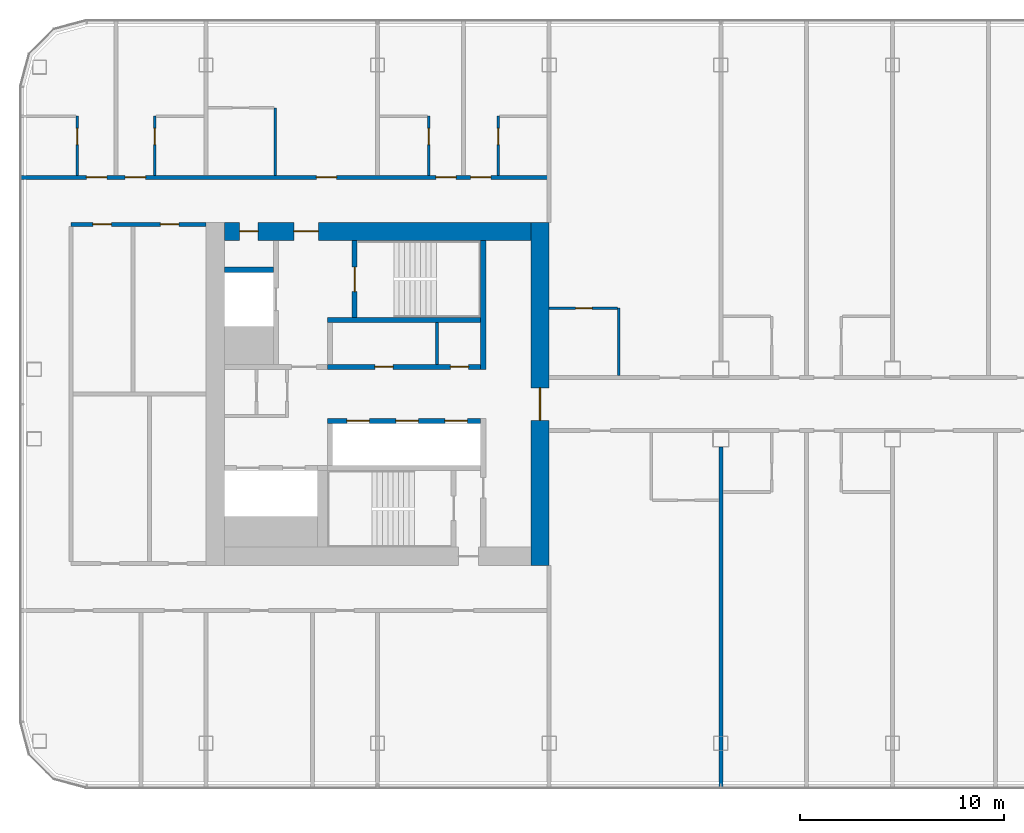
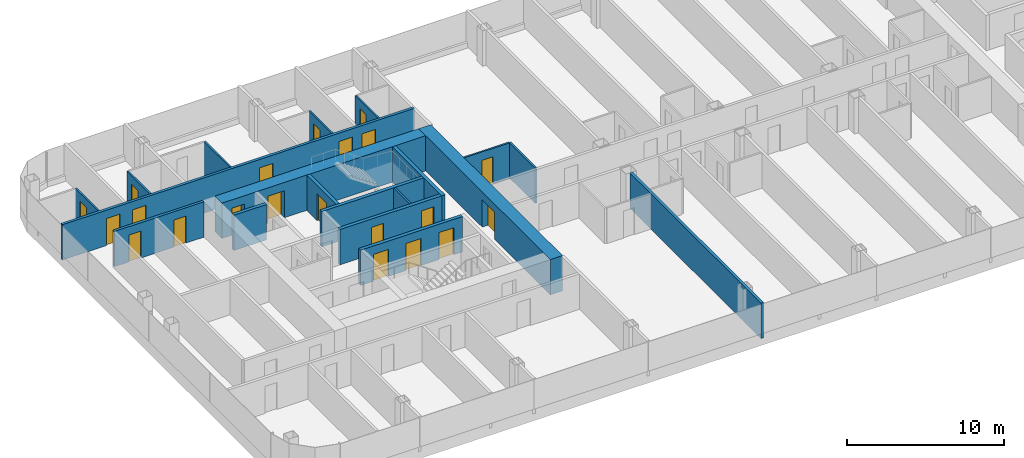
# One storey, part 13 of 26: 21 doors, 19 walls, 21 openings.
"""IFC4 building model written with IfcOpenShell, lengths in metres."""

from ifc_helpers import new_model, si_unit, direction, frame, frame_2d, origin, place, context, subcontext, project, spatial, rectangle, extrude, material, layer, layer_set, type_object, element, fill, save


model = new_model("IFC4")

# Units and contexts
model_context = context("Model", 3, precision=1e-05, world=origin(), true_north=direction((0.0, 1.0)))
body_context = subcontext(model_context, "Body", "Model", "MODEL_VIEW")
ifc_project = project(units=[si_unit("LENGTHUNIT", "METRE"), si_unit("AREAUNIT", "SQUARE_METRE"), si_unit("VOLUMEUNIT", "CUBIC_METRE"), si_unit("PLANEANGLEUNIT", "RADIAN"), si_unit("MASSUNIT", "GRAM", prefix="KILO")], contexts=[model_context])

# Site, building, storey
site_placement = place(None, origin())
site = spatial("IfcSite", under=ifc_project, at=site_placement, CompositionType="ELEMENT")
building_placement = place(site_placement, origin())
building = spatial("IfcBuilding", under=site, at=building_placement, Name="Hakoniwa Tower and Hamabe Station Hall", CompositionType="ELEMENT")
storey_placement = place(building_placement, frame((0.0, 0.0, 153.39990234375)))
storey = spatial("IfcBuildingStorey", under=building, at=storey_placement, Name="L43", CompositionType="ELEMENT", Elevation=153.39990234375)

# Wall, opening, door
ifc_material_1 = material(Name="Gypsum board partition", Category="gypsum")
ifc_layer_1 = layer(ifc_material_1, 0.125)
ifc_layer_set_1 = layer_set([ifc_layer_1], Name="Bathroom Partition 125")
wall_type_1 = type_object("IfcWallType", Name="Bathroom Partition 125", PredefinedType="PARTITIONING", material=ifc_layer_set_1)
wall_1_placement = place(storey_placement, frame((-16.81005859375, 4.199951171875, 0.0), z_axis=(0.0, 0.0, 1.0), x_axis=(1.0, 0.0, 0.0)))
wall_1 = element("IfcWall", 1, at=wall_1_placement, inside=storey, type_object=wall_type_1, Name="GW-L43-022", PredefinedType="PARTITIONING", context=body_context, shape_type="SweptSolid", body=[
    extrude(rectangle(XDim=3.34765625, YDim=0.125, at=frame_2d((1.673828125, 0.0))), origin(), (0.0, 0.0, 1.0), 2.75),
])
opening_1_placement = place(wall_1_placement, frame((1.31005859375, 0.0, 0.0)))
opening_1 = element("IfcOpeningElement", 2, at=opening_1_placement, cuts=wall_1, Name="Opening GD-G3C1-31", PredefinedType="OPENING", context=body_context, shape_type="SweptSolid", body=[
    extrude(rectangle(XDim=0.800048828125, YDim=2.10009765625, at=frame_2d((0.39990234375, 1.050048828125))), frame((0.0, 0.072509765625, 0.0), z_axis=(0.0, -1.0, 0.0), x_axis=(1.0, 0.0, 0.0)), (0.0, 0.0, 1.0), 0.14501953125),
])
ifc_material_2 = material(Name="Timber door leaf", Category="wood")
door_type_1 = type_object("IfcDoorType", Name="Bathroom Door 800", OperationType="SINGLE_SWING_LEFT", PredefinedType="DOOR", material=ifc_material_2)
door_1_placement = place(opening_1_placement, origin())
door_1 = element("IfcDoor", 3, at=door_1_placement, inside=storey, type_object=door_type_1, Name="Door GD-G3C1-31", OperationType="SINGLE_SWING_RIGHT", OverallHeight=2.10009765625, OverallWidth=0.800048828125, PredefinedType="DOOR", context=body_context, shape_type="SweptSolid", body=[
    extrude(rectangle(XDim=0.800048828125, YDim=2.10009765625, at=frame_2d((0.39990234375, 1.050048828125))), frame((0.0, 0.02490234375, 0.0), z_axis=(0.0, -1.0, 0.0), x_axis=(1.0, 0.0, 0.0)), (0.0, 0.0, 1.0), 0.050048828125),
])
fill(opening_1, door_1)

wall_2_placement = place(storey_placement, frame((-39.89990234375, 10.699951171875, 0.0), z_axis=(0.0, 0.0, 1.0), x_axis=(0.0, 1.0, 0.0)))
wall_2 = element("IfcWall", 4, at=wall_2_placement, inside=storey, type_object=wall_type_1, Name="GW-L43-037", PredefinedType="PARTITIONING", context=body_context, shape_type="SweptSolid", body=[
    extrude(rectangle(XDim=2.900146484375, YDim=0.125, at=frame_2d((1.4501953125, 0.0))), origin(), (0.0, 0.0, 1.0), 2.75),
])
opening_2_placement = place(wall_2_placement, frame((1.5, 0.0, 0.0)))
opening_2 = element("IfcOpeningElement", 5, at=opening_2_placement, cuts=wall_2, Name="Opening GD-G3C1-48", PredefinedType="OPENING", context=body_context, shape_type="SweptSolid", body=[
    extrude(rectangle(XDim=0.800048828125, YDim=2.10009765625, at=frame_2d((0.39990234375, 1.050048828125))), frame((0.0, 0.072509765625, 0.0), z_axis=(0.0, -1.0, 0.0), x_axis=(1.0, 0.0, 0.0)), (0.0, 0.0, 1.0), 0.14501953125),
])
door_2_placement = place(opening_2_placement, origin())
door_2 = element("IfcDoor", 6, at=door_2_placement, inside=storey, type_object=door_type_1, Name="Door GD-G3C1-48", OperationType="SINGLE_SWING_LEFT", OverallHeight=2.10009765625, OverallWidth=0.800048828125, PredefinedType="DOOR", context=body_context, shape_type="SweptSolid", body=[
    extrude(rectangle(XDim=0.800048828125, YDim=2.10009765625, at=frame_2d((0.39990234375, 1.050048828125))), frame((0.0, 0.02490234375, 0.0), z_axis=(0.0, -1.0, 0.0), x_axis=(1.0, 0.0, 0.0)), (0.0, 0.0, 1.0), 0.050048828125),
])
fill(opening_2, door_2)

wall_3_placement = place(storey_placement, frame((-36.10009765625, 10.699951171875, 0.0), z_axis=(0.0, 0.0, 1.0), x_axis=(0.0, 1.0, 0.0)))
wall_3 = element("IfcWall", 7, at=wall_3_placement, inside=storey, type_object=wall_type_1, Name="GW-L43-042", PredefinedType="PARTITIONING", context=body_context, shape_type="SweptSolid", body=[
    extrude(rectangle(XDim=2.900146484375, YDim=0.125, at=frame_2d((1.4501953125, 0.0))), origin(), (0.0, 0.0, 1.0), 2.75),
])
opening_3_placement = place(wall_3_placement, frame((1.5, 0.0, 0.0)))
opening_3 = element("IfcOpeningElement", 8, at=opening_3_placement, cuts=wall_3, Name="Opening GD-G3C1-49", PredefinedType="OPENING", context=body_context, shape_type="SweptSolid", body=[
    extrude(rectangle(XDim=0.800048828125, YDim=2.10009765625, at=frame_2d((0.39990234375, 1.050048828125))), frame((0.0, 0.072509765625, 0.0), z_axis=(0.0, -1.0, 0.0), x_axis=(1.0, 0.0, 0.0)), (0.0, 0.0, 1.0), 0.14501953125),
])
door_3_placement = place(opening_3_placement, origin())
door_3 = element("IfcDoor", 9, at=door_3_placement, inside=storey, type_object=door_type_1, Name="Door GD-G3C1-49", OperationType="SINGLE_SWING_RIGHT", OverallHeight=2.10009765625, OverallWidth=0.800048828125, PredefinedType="DOOR", context=body_context, shape_type="SweptSolid", body=[
    extrude(rectangle(XDim=0.800048828125, YDim=2.10009765625, at=frame_2d((0.39990234375, 1.050048828125))), frame((0.0, 0.02490234375, 0.0), z_axis=(0.0, -1.0, 0.0), x_axis=(1.0, 0.0, 0.0)), (0.0, 0.0, 1.0), 0.050048828125),
])
fill(opening_3, door_3)

# Wall
wall_4_placement = place(storey_placement, frame((-30.199951171875, 10.699951171875, 0.0), z_axis=(0.0, 0.0, 1.0), x_axis=(0.0, 1.0, 0.0)))
element("IfcWall", 10, at=wall_4_placement, inside=storey, type_object=wall_type_1, Name="GW-L43-045", PredefinedType="PARTITIONING", context=body_context, shape_type="SweptSolid", body=[
    extrude(rectangle(XDim=3.300048828125, YDim=0.125, at=frame_2d((1.64990234375, 0.0))), origin(), (0.0, 0.0, 1.0), 2.75),
])

# Wall, opening, door
wall_5_placement = place(storey_placement, frame((-22.699951171875, 10.699951171875, 0.0), z_axis=(0.0, 0.0, 1.0), x_axis=(0.0, 1.0, 0.0)))
wall_5 = element("IfcWall", 11, at=wall_5_placement, inside=storey, type_object=wall_type_1, Name="GW-L43-049", PredefinedType="PARTITIONING", context=body_context, shape_type="SweptSolid", body=[
    extrude(rectangle(XDim=2.900146484375, YDim=0.125, at=frame_2d((1.4501953125, 0.0))), origin(), (0.0, 0.0, 1.0), 2.75),
])
opening_4_placement = place(wall_5_placement, frame((1.5, 0.0, 0.0)))
opening_4 = element("IfcOpeningElement", 12, at=opening_4_placement, cuts=wall_5, Name="Opening GD-G3C1-50", PredefinedType="OPENING", context=body_context, shape_type="SweptSolid", body=[
    extrude(rectangle(XDim=0.800048828125, YDim=2.10009765625, at=frame_2d((0.39990234375, 1.050048828125))), frame((0.0, 0.072509765625, 0.0), z_axis=(0.0, -1.0, 0.0), x_axis=(1.0, 0.0, 0.0)), (0.0, 0.0, 1.0), 0.14501953125),
])
door_4_placement = place(opening_4_placement, origin())
door_4 = element("IfcDoor", 13, at=door_4_placement, inside=storey, type_object=door_type_1, Name="Door GD-G3C1-50", OperationType="SINGLE_SWING_LEFT", OverallHeight=2.10009765625, OverallWidth=0.800048828125, PredefinedType="DOOR", context=body_context, shape_type="SweptSolid", body=[
    extrude(rectangle(XDim=0.800048828125, YDim=2.10009765625, at=frame_2d((0.39990234375, 1.050048828125))), frame((0.0, 0.02490234375, 0.0), z_axis=(0.0, -1.0, 0.0), x_axis=(1.0, 0.0, 0.0)), (0.0, 0.0, 1.0), 0.050048828125),
])
fill(opening_4, door_4)

wall_6_placement = place(storey_placement, frame((-19.300048828125, 10.699951171875, 0.0), z_axis=(0.0, 0.0, 1.0), x_axis=(0.0, 1.0, 0.0)))
wall_6 = element("IfcWall", 14, at=wall_6_placement, inside=storey, type_object=wall_type_1, Name="GW-L43-051", PredefinedType="PARTITIONING", context=body_context, shape_type="SweptSolid", body=[
    extrude(rectangle(XDim=2.900146484375, YDim=0.125, at=frame_2d((1.4501953125, 0.0))), origin(), (0.0, 0.0, 1.0), 2.75),
])
opening_5_placement = place(wall_6_placement, frame((1.5, 0.0, 0.0)))
opening_5 = element("IfcOpeningElement", 15, at=opening_5_placement, cuts=wall_6, Name="Opening GD-G3C1-51", PredefinedType="OPENING", context=body_context, shape_type="SweptSolid", body=[
    extrude(rectangle(XDim=0.800048828125, YDim=2.10009765625, at=frame_2d((0.39990234375, 1.050048828125))), frame((0.0, 0.072509765625, 0.0), z_axis=(0.0, -1.0, 0.0), x_axis=(1.0, 0.0, 0.0)), (0.0, 0.0, 1.0), 0.14501953125),
])
door_5_placement = place(opening_5_placement, origin())
door_5 = element("IfcDoor", 16, at=door_5_placement, inside=storey, type_object=door_type_1, Name="Door GD-G3C1-51", OperationType="SINGLE_SWING_RIGHT", OverallHeight=2.10009765625, OverallWidth=0.800048828125, PredefinedType="DOOR", context=body_context, shape_type="SweptSolid", body=[
    extrude(rectangle(XDim=0.800048828125, YDim=2.10009765625, at=frame_2d((0.39990234375, 1.050048828125))), frame((0.0, 0.02490234375, 0.0), z_axis=(0.0, -1.0, 0.0), x_axis=(1.0, 0.0, 0.0)), (0.0, 0.0, 1.0), 0.050048828125),
])
fill(opening_5, door_5)

# Walls
wall_7_placement = place(storey_placement, frame((-13.39990234375, 0.89990234375, 0.0), z_axis=(0.0, 0.0, 1.0), x_axis=(0.0, 1.0, 0.0)))
element("IfcWall", 17, at=wall_7_placement, inside=storey, type_object=wall_type_1, Name="GW-L43-054", PredefinedType="PARTITIONING", context=body_context, shape_type="SweptSolid", body=[
    extrude(rectangle(XDim=3.300048828125, YDim=0.125, at=frame_2d((1.64990234375, 0.0))), origin(), (0.0, 0.0, 1.0), 2.75),
])
ifc_material_3 = material(Name="Gypsum board partition")
ifc_layer_2 = layer(ifc_material_3, 0.14990234375)
ifc_layer_set_2 = layer_set([ifc_layer_2], Name="CORE PARTITION 150 EI 60")
wall_type_2 = type_object("IfcWallType", Name="CORE PARTITION 150 EI 60", PredefinedType="PARTITIONING", material=ifc_layer_set_2)
wall_8_placement = place(storey_placement, frame((-22.300048828125, 1.449951171875, 0.0), z_axis=(0.0, 0.0, 1.0), x_axis=(0.0, 1.0, 0.0)))
element("IfcWall", 18, at=wall_8_placement, inside=storey, type_object=wall_type_2, Name="Core partition PFLR0 west", PredefinedType="PARTITIONING", context=body_context, shape_type="SweptSolid", body=[
    extrude(rectangle(XDim=2.050048828125, YDim=0.14990234375, at=frame_2d((1.02490234375, 0.0))), origin(), (0.0, 0.0, 1.0), 2.75),
])

# Wall, opening, door
ifc_material_4 = material(Name="Concrete C66", Category="concrete")
ifc_layer_3 = layer(ifc_material_4, 0.89990234375)
ifc_layer_set_3 = layer_set([ifc_layer_3], Name="CORE WALL 900 C66")
wall_type_3 = type_object("IfcWallType", Name="CORE WALL 900 C66", PredefinedType="SHEAR", material=ifc_layer_set_3)
wall_9_placement = place(storey_placement, frame((-17.25, -8.39990234375, 0.0), z_axis=(0.0, 0.0, 1.0), x_axis=(0.0, 1.0, 0.0)))
wall_9 = element("IfcWall", 19, at=wall_9_placement, inside=storey, type_object=wall_type_3, Name="Core wall INNER west", PredefinedType="SHEAR", context=body_context, shape_type="SweptSolid", body=[
    extrude(rectangle(XDim=16.7998046875, YDim=0.89990234375, at=frame_2d((8.39990234375, 0.0))), origin(), (0.0, 0.0, 1.0), 2.75),
])
opening_6_placement = place(wall_9_placement, frame((7.10009765625, 0.0, 0.0)))
opening_6 = element("IfcOpeningElement", 20, at=opening_6_placement, cuts=wall_9, Name="Opening CD-W-IN1-16", PredefinedType="OPENING", context=body_context, shape_type="SweptSolid", body=[
    extrude(rectangle(XDim=1.60009765625, YDim=2.10009765625, at=frame_2d((0.800048828125, 1.050048828125))), frame((0.0, 0.4599609375, 0.0), z_axis=(0.0, -1.0, 0.0), x_axis=(1.0, 0.0, 0.0)), (0.0, 0.0, 1.0), 0.919921875),
])
ifc_material_5 = material(Name="Steel fire door", Category="steel")
door_type_2 = type_object("IfcDoorType", Name="CORE DOOR 1600 FD60", OperationType="DOUBLE_DOOR_SINGLE_SWING", PredefinedType="DOOR", material=ifc_material_5)
door_6_placement = place(opening_6_placement, origin())
door_6 = element("IfcDoor", 21, at=door_6_placement, inside=storey, type_object=door_type_2, Name="Lift lobby door", OperationType="DOUBLE_DOOR_SINGLE_SWING", OverallHeight=2.10009765625, OverallWidth=1.60009765625, PredefinedType="DOOR", context=body_context, shape_type="SweptSolid", body=[
    extrude(rectangle(XDim=1.60009765625, YDim=2.10009765625, at=frame_2d((0.800048828125, 1.050048828125))), frame((0.0, 0.02490234375, 0.0), z_axis=(0.0, -1.0, 0.0), x_axis=(1.0, 0.0, 0.0)), (0.0, 0.0, 1.0), 0.050048828125),
])
fill(opening_6, door_6)

# Wall, openings, doors
wall_10_placement = place(storey_placement, frame((-32.699951171875, 7.949951171875, 0.0), z_axis=(0.0, 0.0, 1.0), x_axis=(1.0, 0.0, 0.0)))
wall_10 = element("IfcWall", 22, at=wall_10_placement, inside=storey, type_object=wall_type_3, Name="Core wall NORTH west", PredefinedType="SHEAR", context=body_context, shape_type="SweptSolid", body=[
    extrude(rectangle(XDim=15.0, YDim=0.89990234375, at=frame_2d((7.5, 0.0))), origin(), (0.0, 0.0, 1.0), 2.75),
])
opening_7_placement = place(wall_10_placement, frame((3.39990234375, 0.0, 0.0)))
opening_7 = element("IfcOpeningElement", 23, at=opening_7_placement, cuts=wall_10, Name="Opening CD-W-FN1-12", PredefinedType="OPENING", context=body_context, shape_type="SweptSolid", body=[
    extrude(rectangle(XDim=1.199951171875, YDim=2.10009765625, at=frame_2d((0.60009765625, 1.050048828125))), frame((0.0, 0.4599609375, 0.0), z_axis=(0.0, -1.0, 0.0), x_axis=(1.0, 0.0, 0.0)), (0.0, 0.0, 1.0), 0.919921875),
])
opening_8_placement = place(wall_10_placement, frame((0.75, 0.0, 0.0)))
opening_8 = element("IfcOpeningElement", 24, at=opening_8_placement, cuts=wall_10, Name="Opening CD-W-FN2-9", PredefinedType="OPENING", context=body_context, shape_type="SweptSolid", body=[
    extrude(rectangle(XDim=0.89990234375, YDim=2.10009765625, at=frame_2d((0.449951171875, 1.050048828125))), frame((0.0, 0.4599609375, 0.0), z_axis=(0.0, -1.0, 0.0), x_axis=(1.0, 0.0, 0.0)), (0.0, 0.0, 1.0), 0.919921875),
])
ifc_material_6 = material(Name="Steel fire door", Category="steel")
door_type_3 = type_object("IfcDoorType", Name="CORE DOOR 1200 FD60", OperationType="DOUBLE_DOOR_SINGLE_SWING", PredefinedType="DOOR", material=ifc_material_6)
door_7_placement = place(opening_7_placement, origin())
door_7 = element("IfcDoor", 25, at=door_7_placement, inside=storey, type_object=door_type_3, Name="Stair vestibule door to the fire-fighting lobby", OperationType="DOUBLE_DOOR_SINGLE_SWING", OverallHeight=2.10009765625, OverallWidth=1.199951171875, PredefinedType="DOOR", context=body_context, shape_type="SweptSolid", body=[
    extrude(rectangle(XDim=1.199951171875, YDim=2.10009765625, at=frame_2d((0.60009765625, 1.050048828125))), frame((0.0, 0.02490234375, 0.0), z_axis=(0.0, -1.0, 0.0), x_axis=(1.0, 0.0, 0.0)), (0.0, 0.0, 1.0), 0.050048828125),
])
fill(opening_7, door_7)
ifc_material_7 = material(Name="Steel fire door", Category="steel")
door_type_4 = type_object("IfcDoorType", Name="CORE DOOR 900 FD30", OperationType="NOTDEFINED", PredefinedType="DOOR", material=ifc_material_7)
door_8_placement = place(opening_8_placement, origin())
door_8 = element("IfcDoor", 26, at=door_8_placement, inside=storey, type_object=door_type_4, Name="Riser access door", OperationType="SINGLE_SWING_LEFT", OverallHeight=2.10009765625, OverallWidth=0.89990234375, PredefinedType="DOOR", context=body_context, shape_type="SweptSolid", body=[
    extrude(rectangle(XDim=0.89990234375, YDim=2.10009765625, at=frame_2d((0.449951171875, 1.050048828125))), frame((0.0, 0.02490234375, 0.0), z_axis=(0.0, -1.0, 0.0), x_axis=(1.0, 0.0, 0.0)), (0.0, 0.0, 1.0), 0.050048828125),
])
fill(opening_8, door_8)

# Wall
ifc_material_8 = material(Name="Concrete C66", Category="concrete")
ifc_layer_4 = layer(ifc_material_8, 0.25)
ifc_layer_set_4 = layer_set([ifc_layer_4], Name="CORE WEB WALL 250 C66")
wall_type_4 = type_object("IfcWallType", Name="CORE WEB WALL 250 C66", PredefinedType="SHEAR", material=ifc_layer_set_4)
wall_11_placement = place(storey_placement, frame((-20.02490234375, 1.199951171875, 0.0), z_axis=(0.0, 0.0, 1.0), x_axis=(0.0, 1.0, 0.0)))
element("IfcWall", 27, at=wall_11_placement, inside=storey, type_object=wall_type_4, Name="Core wall W1N west", PredefinedType="SHEAR", context=body_context, shape_type="SweptSolid", body=[
    extrude(rectangle(XDim=6.300048828125, YDim=0.25, at=frame_2d((3.14990234375, 0.0))), origin(), (0.0, 0.0, 1.0), 2.75),
])

# Wall, openings, doors
wall_12_placement = place(storey_placement, frame((-27.64990234375, 1.324951171875, 0.0), z_axis=(0.0, 0.0, 1.0), x_axis=(1.0, 0.0, 0.0)))
wall_12 = element("IfcWall", 28, at=wall_12_placement, inside=storey, type_object=wall_type_4, Name="Core wall NF west", PredefinedType="SHEAR", context=body_context, shape_type="SweptSolid", body=[
    extrude(rectangle(XDim=7.5, YDim=0.25, at=frame_2d((3.75, 0.0))), origin(), (0.0, 0.0, 1.0), 2.75),
])
opening_9_placement = place(wall_12_placement, frame((6.012451171875, 0.0, 0.0)))
opening_9 = element("IfcOpeningElement", 29, at=opening_9_placement, cuts=wall_12, Name="Opening CD-W-FRLR0-9", PredefinedType="OPENING", context=body_context, shape_type="SweptSolid", body=[
    extrude(rectangle(XDim=0.89990234375, YDim=2.10009765625, at=frame_2d((0.449951171875, 1.050048828125))), frame((0.0, 0.135009765625, 0.0), z_axis=(0.0, -1.0, 0.0), x_axis=(1.0, 0.0, 0.0)), (0.0, 0.0, 1.0), 0.27001953125),
])
opening_10_placement = place(wall_12_placement, frame((2.3125, 0.0, 0.0)))
opening_10 = element("IfcOpeningElement", 30, at=opening_10_placement, cuts=wall_12, Name="Opening CD-W-FRLR1-9", PredefinedType="OPENING", context=body_context, shape_type="SweptSolid", body=[
    extrude(rectangle(XDim=0.89990234375, YDim=2.10009765625, at=frame_2d((0.449951171875, 1.050048828125))), frame((0.0, 0.135009765625, 0.0), z_axis=(0.0, -1.0, 0.0), x_axis=(1.0, 0.0, 0.0)), (0.0, 0.0, 1.0), 0.27001953125),
])
door_9_placement = place(opening_9_placement, origin())
door_9 = element("IfcDoor", 31, at=door_9_placement, inside=storey, type_object=door_type_4, Name="Store room door", OperationType="SINGLE_SWING_RIGHT", OverallHeight=2.10009765625, OverallWidth=0.89990234375, PredefinedType="DOOR", context=body_context, shape_type="SweptSolid", body=[
    extrude(rectangle(XDim=0.89990234375, YDim=2.10009765625, at=frame_2d((0.449951171875, 1.050048828125))), frame((0.0, 0.02490234375, 0.0), z_axis=(0.0, -1.0, 0.0), x_axis=(1.0, 0.0, 0.0)), (0.0, 0.0, 1.0), 0.050048828125),
])
fill(opening_9, door_9)
door_10_placement = place(opening_10_placement, origin())
door_10 = element("IfcDoor", 32, at=door_10_placement, inside=storey, type_object=door_type_4, Name="Store room door", OperationType="SINGLE_SWING_RIGHT", OverallHeight=2.10009765625, OverallWidth=0.89990234375, PredefinedType="DOOR", context=body_context, shape_type="SweptSolid", body=[
    extrude(rectangle(XDim=0.89990234375, YDim=2.10009765625, at=frame_2d((0.449951171875, 1.050048828125))), frame((0.0, 0.02490234375, 0.0), z_axis=(0.0, -1.0, 0.0), x_axis=(1.0, 0.0, 0.0)), (0.0, 0.0, 1.0), 0.050048828125),
])
fill(opening_10, door_10)

# Wall
wall_13_placement = place(storey_placement, frame((-27.64990234375, 3.625, 0.0), z_axis=(0.0, 0.0, 1.0), x_axis=(1.0, 0.0, 0.0)))
element("IfcWall", 33, at=wall_13_placement, inside=storey, type_object=wall_type_4, Name="Core wall NR west", PredefinedType="SHEAR", context=body_context, shape_type="SweptSolid", body=[
    extrude(rectangle(XDim=7.5, YDim=0.25, at=frame_2d((3.75, 0.0))), origin(), (0.0, 0.0, 1.0), 2.75),
])

# Wall, opening, door
wall_14_placement = place(storey_placement, frame((-26.324951171875, 3.75, 0.0), z_axis=(0.0, 0.0, 1.0), x_axis=(0.0, 1.0, 0.0)))
wall_14 = element("IfcWall", 34, at=wall_14_placement, inside=storey, type_object=wall_type_4, Name="Core wall NSE west", PredefinedType="SHEAR", context=body_context, shape_type="SweptSolid", body=[
    extrude(rectangle(XDim=3.75, YDim=0.25, at=frame_2d((1.875, 0.0))), origin(), (0.0, 0.0, 1.0), 2.75),
])
opening_11_placement = place(wall_14_placement, frame((1.25, 0.0, 0.0)))
opening_11 = element("IfcOpeningElement", 35, at=opening_11_placement, cuts=wall_14, Name="Opening CD-W-SN-12", PredefinedType="OPENING", context=body_context, shape_type="SweptSolid", body=[
    extrude(rectangle(XDim=1.199951171875, YDim=2.10009765625, at=frame_2d((0.60009765625, 1.050048828125))), frame((0.0, 0.135009765625, 0.0), z_axis=(0.0, -1.0, 0.0), x_axis=(1.0, 0.0, 0.0)), (0.0, 0.0, 1.0), 0.27001953125),
])
door_11_placement = place(opening_11_placement, origin())
door_11 = element("IfcDoor", 36, at=door_11_placement, inside=storey, type_object=door_type_3, Name="Escape stair door", OperationType="DOUBLE_DOOR_SINGLE_SWING", OverallHeight=2.10009765625, OverallWidth=1.199951171875, PredefinedType="DOOR", context=body_context, shape_type="SweptSolid", body=[
    extrude(rectangle(XDim=1.199951171875, YDim=2.10009765625, at=frame_2d((0.60009765625, 1.050048828125))), frame((0.0, 0.02490234375, 0.0), z_axis=(0.0, -1.0, 0.0), x_axis=(1.0, 0.0, 0.0)), (0.0, 0.0, 1.0), 0.050048828125),
])
fill(opening_11, door_11)

# Wall
wall_15_placement = place(storey_placement, frame((-32.699951171875, 6.074951171875, 0.0), z_axis=(0.0, 0.0, 1.0), x_axis=(1.0, 0.0, 0.0)))
element("IfcWall", 37, at=wall_15_placement, inside=storey, type_object=wall_type_4, Name="Core wall C2 west", PredefinedType="SHEAR", context=body_context, shape_type="SweptSolid", body=[
    extrude(rectangle(XDim=2.39990234375, YDim=0.25, at=frame_2d((1.199951171875, 0.0))), origin(), (0.0, 0.0, 1.0), 2.75),
])

# Wall, openings, doors
wall_16_placement = place(storey_placement, frame((-27.64990234375, -1.324951171875, 0.0), z_axis=(0.0, 0.0, 1.0), x_axis=(1.0, 0.0, 0.0)))
wall_16 = element("IfcWall", 38, at=wall_16_placement, inside=storey, type_object=wall_type_4, Name="Core wall SF west", PredefinedType="SHEAR", context=body_context, shape_type="SweptSolid", body=[
    extrude(rectangle(XDim=7.5, YDim=0.25, at=frame_2d((3.75, 0.0))), origin(), (0.0, 0.0, 1.0), 2.75),
])
opening_12_placement = place(wall_16_placement, frame((5.75, 0.0, 0.0)))
opening_12 = element("IfcOpeningElement", 39, at=opening_12_placement, cuts=wall_16, Name="Opening LD-HR1", PredefinedType="OPENING", context=body_context, shape_type="SweptSolid", body=[
    extrude(rectangle(XDim=1.10009765625, YDim=2.10009765625, at=frame_2d((0.550048828125, 1.050048828125))), frame((0.0, 0.135009765625, 0.0), z_axis=(0.0, -1.0, 0.0), x_axis=(1.0, 0.0, 0.0)), (0.0, 0.0, 1.0), 0.27001953125),
])
opening_13_placement = place(wall_16_placement, frame((3.35009765625, 0.0, 0.0)))
opening_13 = element("IfcOpeningElement", 40, at=opening_13_placement, cuts=wall_16, Name="Opening LD-HR2", PredefinedType="OPENING", context=body_context, shape_type="SweptSolid", body=[
    extrude(rectangle(XDim=1.10009765625, YDim=2.10009765625, at=frame_2d((0.550048828125, 1.050048828125))), frame((0.0, 0.135009765625, 0.0), z_axis=(0.0, -1.0, 0.0), x_axis=(1.0, 0.0, 0.0)), (0.0, 0.0, 1.0), 0.27001953125),
])
opening_14_placement = place(wall_16_placement, frame((0.949951171875, 0.0, 0.0)))
opening_14 = element("IfcOpeningElement", 41, at=opening_14_placement, cuts=wall_16, Name="Opening LD-HR3", PredefinedType="OPENING", context=body_context, shape_type="SweptSolid", body=[
    extrude(rectangle(XDim=1.10009765625, YDim=2.10009765625, at=frame_2d((0.550048828125, 1.050048828125))), frame((0.0, 0.135009765625, 0.0), z_axis=(0.0, -1.0, 0.0), x_axis=(1.0, 0.0, 0.0)), (0.0, 0.0, 1.0), 0.27001953125),
])
ifc_material_9 = material(Name="Stainless steel SUS304", Category="steel")
door_type_5 = type_object("IfcDoorType", Name="LIFT LANDING DOOR 1100 FD60", OperationType="DOUBLE_DOOR_SLIDING", PredefinedType="DOOR", material=ifc_material_9)
door_12_placement = place(opening_12_placement, origin())
door_12 = element("IfcDoor", 42, at=door_12_placement, inside=storey, type_object=door_type_5, Name="Lift landing door HR1 L43", OperationType="DOUBLE_DOOR_SLIDING", OverallHeight=2.10009765625, OverallWidth=1.10009765625, PredefinedType="DOOR", context=body_context, shape_type="SweptSolid", body=[
    extrude(rectangle(XDim=1.10009765625, YDim=2.10009765625, at=frame_2d((0.550048828125, 1.050048828125))), frame((0.0, 0.02490234375, 0.0), z_axis=(0.0, -1.0, 0.0), x_axis=(1.0, 0.0, 0.0)), (0.0, 0.0, 1.0), 0.050048828125),
])
fill(opening_12, door_12)
door_13_placement = place(opening_13_placement, origin())
door_13 = element("IfcDoor", 43, at=door_13_placement, inside=storey, type_object=door_type_5, Name="Lift landing door HR2 L43", OperationType="DOUBLE_DOOR_SLIDING", OverallHeight=2.10009765625, OverallWidth=1.10009765625, PredefinedType="DOOR", context=body_context, shape_type="SweptSolid", body=[
    extrude(rectangle(XDim=1.10009765625, YDim=2.10009765625, at=frame_2d((0.550048828125, 1.050048828125))), frame((0.0, 0.02490234375, 0.0), z_axis=(0.0, -1.0, 0.0), x_axis=(1.0, 0.0, 0.0)), (0.0, 0.0, 1.0), 0.050048828125),
])
fill(opening_13, door_13)
door_14_placement = place(opening_14_placement, origin())
door_14 = element("IfcDoor", 44, at=door_14_placement, inside=storey, type_object=door_type_5, Name="Lift landing door HR3 L43", OperationType="DOUBLE_DOOR_SLIDING", OverallHeight=2.10009765625, OverallWidth=1.10009765625, PredefinedType="DOOR", context=body_context, shape_type="SweptSolid", body=[
    extrude(rectangle(XDim=1.10009765625, YDim=2.10009765625, at=frame_2d((0.550048828125, 1.050048828125))), frame((0.0, 0.02490234375, 0.0), z_axis=(0.0, -1.0, 0.0), x_axis=(1.0, 0.0, 0.0)), (0.0, 0.0, 1.0), 0.050048828125),
])
fill(opening_14, door_14)

ifc_material_10 = material(Name="Fire-rated gypsum board partition", Category="gypsum")
ifc_layer_5 = layer(ifc_material_10, 0.199951171875)
ifc_layer_set_5 = layer_set([ifc_layer_5], Name="Corridor Wall 200")
wall_type_5 = type_object("IfcWallType", Name="Corridor Wall 200", PredefinedType="PARTITIONING", material=ifc_layer_set_5)
wall_17_placement = place(storey_placement, frame((-40.199951171875, 8.300048828125, 0.0), z_axis=(0.0, 0.0, 1.0), x_axis=(1.0, 0.0, 0.0)))
wall_17 = element("IfcWall", 45, at=wall_17_placement, inside=storey, type_object=wall_type_5, Name="GW-L43-023", PredefinedType="PARTITIONING", context=body_context, shape_type="SweptSolid", body=[
    extrude(rectangle(XDim=6.599853515625, YDim=0.199951171875, at=frame_2d((3.2998046875, 0.0))), origin(), (0.0, 0.0, 1.0), 2.75),
])
opening_15_placement = place(wall_17_placement, frame((1.070068359375, 0.0, 0.0)))
opening_15 = element("IfcOpeningElement", 46, at=opening_15_placement, cuts=wall_17, Name="Opening GD-G3C1-32", PredefinedType="OPENING", context=body_context, shape_type="SweptSolid", body=[
    extrude(rectangle(XDim=0.89990234375, YDim=2.10009765625, at=frame_2d((0.449951171875, 1.050048828125))), frame((0.0, 0.10986328125, 0.0), z_axis=(0.0, -1.0, 0.0), x_axis=(1.0, 0.0, 0.0)), (0.0, 0.0, 1.0), 0.219970703125),
])
opening_16_placement = place(wall_17_placement, frame((4.3701171875, 0.0, 0.0)))
opening_16 = element("IfcOpeningElement", 47, at=opening_16_placement, cuts=wall_17, Name="Opening GD-G3C1-33", PredefinedType="OPENING", context=body_context, shape_type="SweptSolid", body=[
    extrude(rectangle(XDim=0.89990234375, YDim=2.10009765625, at=frame_2d((0.449951171875, 1.050048828125))), frame((0.0, 0.10986328125, 0.0), z_axis=(0.0, -1.0, 0.0), x_axis=(1.0, 0.0, 0.0)), (0.0, 0.0, 1.0), 0.219970703125),
])
ifc_material_11 = material(Name="Timber door leaf", Category="wood")
door_type_6 = type_object("IfcDoorType", Name="Service Door 900", OperationType="SINGLE_SWING_LEFT", PredefinedType="DOOR", material=ifc_material_11)
door_15_placement = place(opening_15_placement, origin())
door_15 = element("IfcDoor", 48, at=door_15_placement, inside=storey, type_object=door_type_6, Name="Door GD-G3C1-32", OperationType="SINGLE_SWING_LEFT", OverallHeight=2.10009765625, OverallWidth=0.89990234375, PredefinedType="DOOR", context=body_context, shape_type="SweptSolid", body=[
    extrude(rectangle(XDim=0.89990234375, YDim=2.10009765625, at=frame_2d((0.449951171875, 1.050048828125))), frame((0.0, 0.02490234375, 0.0), z_axis=(0.0, -1.0, 0.0), x_axis=(1.0, 0.0, 0.0)), (0.0, 0.0, 1.0), 0.050048828125),
])
fill(opening_15, door_15)
door_16_placement = place(opening_16_placement, origin())
door_16 = element("IfcDoor", 49, at=door_16_placement, inside=storey, type_object=door_type_6, Name="Door GD-G3C1-33", OperationType="SINGLE_SWING_LEFT", OverallHeight=2.10009765625, OverallWidth=0.89990234375, PredefinedType="DOOR", context=body_context, shape_type="SweptSolid", body=[
    extrude(rectangle(XDim=0.89990234375, YDim=2.10009765625, at=frame_2d((0.449951171875, 1.050048828125))), frame((0.0, 0.02490234375, 0.0), z_axis=(0.0, -1.0, 0.0), x_axis=(1.0, 0.0, 0.0)), (0.0, 0.0, 1.0), 0.050048828125),
])
fill(opening_16, door_16)

wall_18_placement = place(storey_placement, frame((-42.699951171875, 10.60009765625, 0.0), z_axis=(0.0, 0.0, 1.0), x_axis=(1.0, 0.0, 0.0)))
wall_18 = element("IfcWall", 50, at=wall_18_placement, inside=storey, type_object=wall_type_5, Name="GW-L43-025", PredefinedType="PARTITIONING", context=body_context, shape_type="SweptSolid", body=[
    extrude(rectangle(XDim=25.89990234375, YDim=0.199951171875, at=frame_2d((12.949951171875, 0.0))), origin(), (0.0, 0.0, 1.0), 2.75),
])
opening_17_placement = place(wall_18_placement, frame((3.25, 0.0, 0.0)))
opening_17 = element("IfcOpeningElement", 51, at=opening_17_placement, cuts=wall_18, Name="Opening GD-G3C1-36", PredefinedType="OPENING", context=body_context, shape_type="SweptSolid", body=[
    extrude(rectangle(XDim=1.0, YDim=2.10009765625, at=frame_2d((0.5, 1.050048828125))), frame((0.0, 0.10986328125, 0.0), z_axis=(0.0, -1.0, 0.0), x_axis=(1.0, 0.0, 0.0)), (0.0, 0.0, 1.0), 0.219970703125),
])
opening_18_placement = place(wall_18_placement, frame((5.14990234375, 0.0, 0.0)))
opening_18 = element("IfcOpeningElement", 52, at=opening_18_placement, cuts=wall_18, Name="Opening GD-G3C1-37", PredefinedType="OPENING", context=body_context, shape_type="SweptSolid", body=[
    extrude(rectangle(XDim=1.0, YDim=2.10009765625, at=frame_2d((0.5, 1.050048828125))), frame((0.0, 0.10986328125, 0.0), z_axis=(0.0, -1.0, 0.0), x_axis=(1.0, 0.0, 0.0)), (0.0, 0.0, 1.0), 0.219970703125),
])
opening_19_placement = place(wall_18_placement, frame((14.5, 0.0, 0.0)))
opening_19 = element("IfcOpeningElement", 53, at=opening_19_placement, cuts=wall_18, Name="Opening GD-G3C1-38", PredefinedType="OPENING", context=body_context, shape_type="SweptSolid", body=[
    extrude(rectangle(XDim=1.0, YDim=2.10009765625, at=frame_2d((0.5, 1.050048828125))), frame((0.0, 0.10986328125, 0.0), z_axis=(0.0, -1.0, 0.0), x_axis=(1.0, 0.0, 0.0)), (0.0, 0.0, 1.0), 0.219970703125),
])
opening_20_placement = place(wall_18_placement, frame((20.35009765625, 0.0, 0.0)))
opening_20 = element("IfcOpeningElement", 54, at=opening_20_placement, cuts=wall_18, Name="Opening GD-G3C1-39", PredefinedType="OPENING", context=body_context, shape_type="SweptSolid", body=[
    extrude(rectangle(XDim=1.0, YDim=2.10009765625, at=frame_2d((0.5, 1.050048828125))), frame((0.0, 0.10986328125, 0.0), z_axis=(0.0, -1.0, 0.0), x_axis=(1.0, 0.0, 0.0)), (0.0, 0.0, 1.0), 0.219970703125),
])
opening_21_placement = place(wall_18_placement, frame((22.050048828125, 0.0, 0.0)))
opening_21 = element("IfcOpeningElement", 55, at=opening_21_placement, cuts=wall_18, Name="Opening GD-G3C1-40", PredefinedType="OPENING", context=body_context, shape_type="SweptSolid", body=[
    extrude(rectangle(XDim=1.0, YDim=2.10009765625, at=frame_2d((0.5, 1.050048828125))), frame((0.0, 0.10986328125, 0.0), z_axis=(0.0, -1.0, 0.0), x_axis=(1.0, 0.0, 0.0)), (0.0, 0.0, 1.0), 0.219970703125),
])
ifc_material_12 = material(Name="Timber door leaf", Category="wood")
door_type_7 = type_object("IfcDoorType", Name="Guest Entrance Door 1000", OperationType="SINGLE_SWING_LEFT", PredefinedType="DOOR", material=ifc_material_12)
door_17_placement = place(opening_17_placement, origin())
door_17 = element("IfcDoor", 56, at=door_17_placement, inside=storey, type_object=door_type_7, Name="Door GD-G3C1-36", OperationType="SINGLE_SWING_RIGHT", OverallHeight=2.10009765625, OverallWidth=1.0, PredefinedType="DOOR", context=body_context, shape_type="SweptSolid", body=[
    extrude(rectangle(XDim=1.0, YDim=2.10009765625, at=frame_2d((0.5, 1.050048828125))), frame((0.0, 0.02490234375, 0.0), z_axis=(0.0, -1.0, 0.0), x_axis=(1.0, 0.0, 0.0)), (0.0, 0.0, 1.0), 0.050048828125),
])
fill(opening_17, door_17)
door_18_placement = place(opening_18_placement, origin())
door_18 = element("IfcDoor", 57, at=door_18_placement, inside=storey, type_object=door_type_7, Name="Door GD-G3C1-37", OperationType="SINGLE_SWING_LEFT", OverallHeight=2.10009765625, OverallWidth=1.0, PredefinedType="DOOR", context=body_context, shape_type="SweptSolid", body=[
    extrude(rectangle(XDim=1.0, YDim=2.10009765625, at=frame_2d((0.5, 1.050048828125))), frame((0.0, 0.02490234375, 0.0), z_axis=(0.0, -1.0, 0.0), x_axis=(1.0, 0.0, 0.0)), (0.0, 0.0, 1.0), 0.050048828125),
])
fill(opening_18, door_18)
door_19_placement = place(opening_19_placement, origin())
door_19 = element("IfcDoor", 58, at=door_19_placement, inside=storey, type_object=door_type_7, Name="Door GD-G3C1-38", OperationType="SINGLE_SWING_RIGHT", OverallHeight=2.10009765625, OverallWidth=1.0, PredefinedType="DOOR", context=body_context, shape_type="SweptSolid", body=[
    extrude(rectangle(XDim=1.0, YDim=2.10009765625, at=frame_2d((0.5, 1.050048828125))), frame((0.0, 0.02490234375, 0.0), z_axis=(0.0, -1.0, 0.0), x_axis=(1.0, 0.0, 0.0)), (0.0, 0.0, 1.0), 0.050048828125),
])
fill(opening_19, door_19)
door_20_placement = place(opening_20_placement, origin())
door_20 = element("IfcDoor", 59, at=door_20_placement, inside=storey, type_object=door_type_7, Name="Door GD-G3C1-39", OperationType="SINGLE_SWING_LEFT", OverallHeight=2.10009765625, OverallWidth=1.0, PredefinedType="DOOR", context=body_context, shape_type="SweptSolid", body=[
    extrude(rectangle(XDim=1.0, YDim=2.10009765625, at=frame_2d((0.5, 1.050048828125))), frame((0.0, 0.02490234375, 0.0), z_axis=(0.0, -1.0, 0.0), x_axis=(1.0, 0.0, 0.0)), (0.0, 0.0, 1.0), 0.050048828125),
])
fill(opening_20, door_20)
door_21_placement = place(opening_21_placement, origin())
door_21 = element("IfcDoor", 60, at=door_21_placement, inside=storey, type_object=door_type_7, Name="Door GD-G3C1-40", OperationType="SINGLE_SWING_LEFT", OverallHeight=2.10009765625, OverallWidth=1.0, PredefinedType="DOOR", context=body_context, shape_type="SweptSolid", body=[
    extrude(rectangle(XDim=1.0, YDim=2.10009765625, at=frame_2d((0.5, 1.050048828125))), frame((0.0, 0.02490234375, 0.0), z_axis=(0.0, -1.0, 0.0), x_axis=(1.0, 0.0, 0.0)), (0.0, 0.0, 1.0), 0.050048828125),
])
fill(opening_21, door_21)

# Wall
ifc_material_13 = material(Name="Fire-rated gypsum board partition", Category="gypsum")
ifc_layer_6 = layer(ifc_material_13, 0.199951171875)
ifc_layer_set_6 = layer_set([ifc_layer_6], Name="Party Wall 200")
wall_type_6 = type_object("IfcWallType", Name="Party Wall 200", PredefinedType="PARTITIONING", material=ifc_layer_set_6)
wall_19_placement = place(storey_placement, frame((-8.39990234375, -19.300048828125, 0.0), z_axis=(0.0, 0.0, 1.0), x_axis=(0.0, 1.0, 0.0)))
element("IfcWall", 61, at=wall_19_placement, inside=storey, type_object=wall_type_6, Name="GW-L43-056", PredefinedType="PARTITIONING", context=body_context, shape_type="SweptSolid", body=[
    extrude(rectangle(XDim=16.7099609375, YDim=0.199951171875, at=frame_2d((8.35498046875, 0.0))), origin(), (0.0, 0.0, 1.0), 2.75),
])

save(model, "model.ifc")
